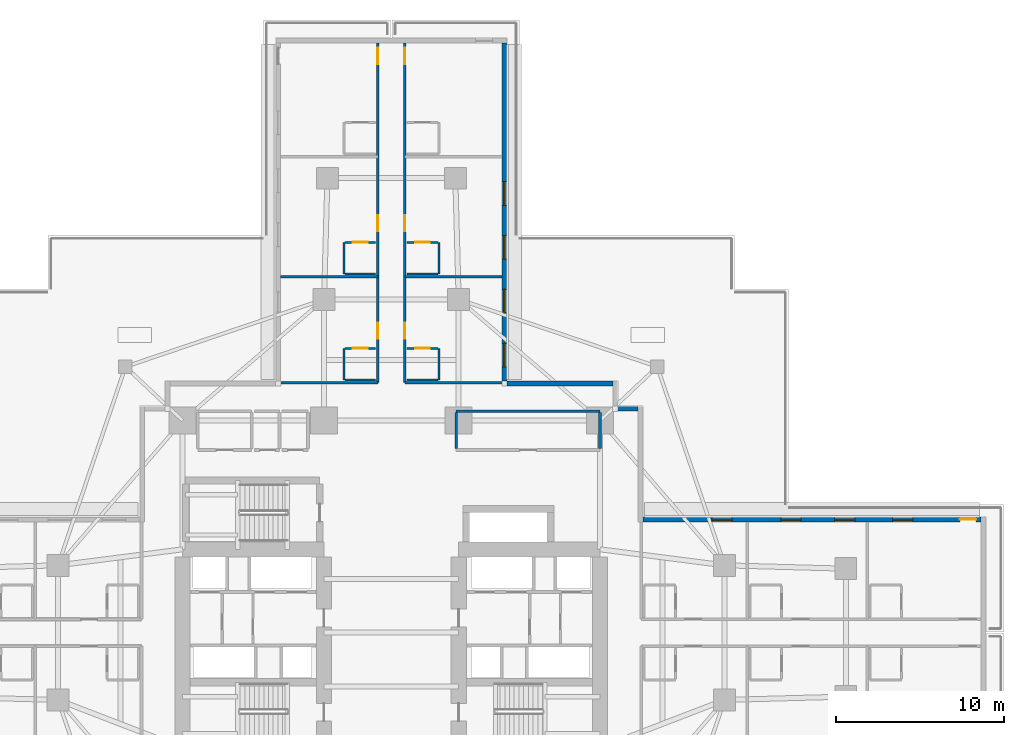
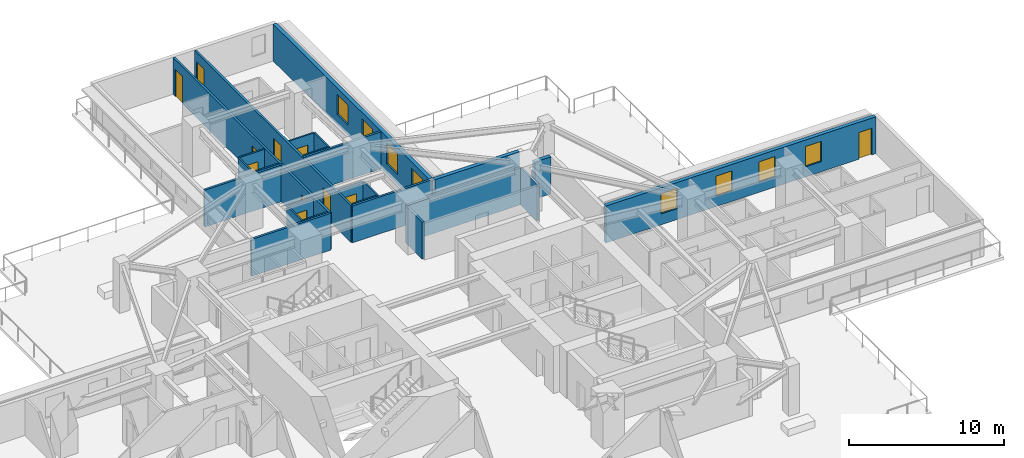
# One storey, part 8 of 15: 25 walls, 11 doors, 8 windows, 19 openings.
"""IFC4 building model written with IfcOpenShell, lengths in metres."""

from ifc_helpers import new_model, si_unit, direction, frame, frame_2d, origin, place, context, subcontext, project, spatial, rectangle, extrude, material, layer, layer_set, type_object, element, fill, save


model = new_model("IFC4")

# Units and contexts
model_context = context("Model", 3, precision=1e-05, world=origin(), true_north=direction((0.0, 1.0)))
body_context = subcontext(model_context, "Body", "Model", "MODEL_VIEW")
ifc_project = project(units=[si_unit("LENGTHUNIT", "METRE"), si_unit("AREAUNIT", "SQUARE_METRE"), si_unit("VOLUMEUNIT", "CUBIC_METRE"), si_unit("PLANEANGLEUNIT", "RADIAN"), si_unit("MASSUNIT", "GRAM", prefix="KILO")], contexts=[model_context])

# Site, building, storey
site_placement = place(None, origin())
site = spatial("IfcSite", under=ifc_project, at=site_placement, CompositionType="ELEMENT")
building_placement = place(site_placement, origin())
building = spatial("IfcBuilding", under=site, at=building_placement, Name="Qingluan Cross Belvedere", CompositionType="ELEMENT")
storey_placement = place(building_placement, frame((0.0, 0.0, 23.699951171875)))
storey = spatial("IfcBuildingStorey", under=building, at=storey_placement, Name="L06", CompositionType="ELEMENT", Elevation=23.699951171875)

# Walls
ifc_material_1 = material(Name="Gypsum plasterboard on steel stud acoustic partition", Category="steel")
ifc_layer_1 = layer(ifc_material_1, 0.159912109375, Name="CorridorPartition_160")
ifc_layer_set_1 = layer_set([ifc_layer_1], Name="Gypsum plasterboard on steel stud acoustic partition")
wall_type_1 = type_object("IfcWallType", Name="CorridorPartition_160", PredefinedType="PARTITIONING", material=ifc_layer_set_1)
wall_1_placement = place(storey_placement, frame((3.85009765625, 13.14990234375, 0.0), z_axis=(0.0, 0.0, 1.0), x_axis=(1.0, 0.0, 0.0)))
element("IfcWall", 1, at=wall_1_placement, inside=storey, type_object=wall_type_1, Name="Partition L06:q_ne:N", PredefinedType="PARTITIONING", context=body_context, shape_type="SweptSolid", body=[
    extrude(rectangle(XDim=8.5498046875, YDim=0.159912109375, at=frame_2d((4.27490234375, 0.0))), origin(), (0.0, 0.0, 1.0), 2.900146484375),
])
for number, where, z_axis, x_axis, name in (
    (2, (3.85009765625, 10.93505859375, 0.0), (0.0, 0.0, 1.0), (0.0, 1.0, 0.0), "Partition L06:q_ne:W"),
    (3, (12.39990234375, 10.93505859375, 0.0), (0.0, 0.0, 1.0), (0.0, 1.0, 0.0), "Partition L06:q_ne:E"),
):
    element("IfcWall", number, at=place(storey_placement, frame(where, z_axis=z_axis, x_axis=x_axis)), inside=storey, type_object=wall_type_1, Name=name, PredefinedType="PARTITIONING", context=body_context, shape_type="SweptSolid", body=[
        extrude(rectangle(XDim=2.1298828125, YDim=0.159912109375, at=frame_2d((1.06494140625, 0.0))), origin(), (0.0, 0.0, 1.0), 2.900146484375),
    ])

# Wall, openings, doors
wall_2_placement = place(storey_placement, frame((0.800048828125, 14.85009765625, 0.0), z_axis=(0.0, 0.0, 1.0), x_axis=(0.0, 1.0, 0.0)))
wall_2 = element("IfcWall", 4, at=wall_2_placement, inside=storey, type_object=wall_type_1, Name="Partition L06:N:c0", PredefinedType="PARTITIONING", context=body_context, shape_type="SweptSolid", body=[
    extrude(rectangle(XDim=20.181884765625, YDim=0.159912109375, at=frame_2d((10.0908203125, 0.0))), origin(), (0.0, 0.0, 1.0), 2.900146484375),
])
opening_1_placement = place(wall_2_placement, frame((2.610107421875, 0.0, 0.0)))
opening_1 = element("IfcOpeningElement", 5, at=opening_1_placement, cuts=wall_2, Name="Opening GD-10", PredefinedType="OPENING", context=body_context, shape_type="SweptSolid", body=[
    extrude(rectangle(XDim=0.9599609375, YDim=2.14990234375, at=frame_2d((0.47998046875, 1.074951171875))), frame((0.0, 0.08984375, 0.0), z_axis=(0.0, -1.0, 0.0), x_axis=(1.0, 0.0, 0.0)), (0.0, 0.0, 1.0), 0.179931640625),
])
opening_2_placement = place(wall_2_placement, frame((8.993896484375, 0.0, 0.0)))
opening_2 = element("IfcOpeningElement", 6, at=opening_2_placement, cuts=wall_2, Name="Opening GD-10", PredefinedType="OPENING", context=body_context, shape_type="SweptSolid", body=[
    extrude(rectangle(XDim=0.9599609375, YDim=2.14990234375, at=frame_2d((0.47998046875, 1.074951171875))), frame((0.0, 0.08984375, 0.0), z_axis=(0.0, -1.0, 0.0), x_axis=(1.0, 0.0, 0.0)), (0.0, 0.0, 1.0), 0.179931640625),
])
opening_3_placement = place(wall_2_placement, frame((18.929931640625, 0.0, 0.0)))
opening_3 = element("IfcOpeningElement", 7, at=opening_3_placement, cuts=wall_2, Name="Opening GD-10", PredefinedType="OPENING", context=body_context, shape_type="SweptSolid", body=[
    extrude(rectangle(XDim=0.9599609375, YDim=2.14990234375, at=frame_2d((0.47998046875, 1.074951171875))), frame((0.0, 0.08984375, 0.0), z_axis=(0.0, -1.0, 0.0), x_axis=(1.0, 0.0, 0.0)), (0.0, 0.0, 1.0), 0.179931640625),
])
ifc_material_2 = material(Name="Timber oak fire-rated acoustic guestroom door", Category="wood")
door_type_1 = type_object("IfcDoorType", Name="GuestEntryDoor_FD60", OperationType="NOTDEFINED", PredefinedType="DOOR", material=ifc_material_2)
door_1_placement = place(opening_1_placement, origin())
door_1 = element("IfcDoor", 8, at=door_1_placement, inside=storey, type_object=door_type_1, Name="Guest entry fire door 0613", OperationType="SINGLE_SWING_LEFT", OverallHeight=2.14990234375, OverallWidth=0.9599609375, PredefinedType="DOOR", context=body_context, shape_type="SweptSolid", body=[
    extrude(rectangle(XDim=0.9599609375, YDim=2.14990234375, at=frame_2d((0.47998046875, 1.074951171875))), frame((0.0, 0.02490234375, 0.0), z_axis=(0.0, -1.0, 0.0), x_axis=(1.0, 0.0, 0.0)), (0.0, 0.0, 1.0), 0.050048828125),
])
fill(opening_1, door_1)
door_2_placement = place(opening_2_placement, origin())
door_2 = element("IfcDoor", 9, at=door_2_placement, inside=storey, type_object=door_type_1, Name="Guest entry fire door 0614", OperationType="SINGLE_SWING_LEFT", OverallHeight=2.14990234375, OverallWidth=0.9599609375, PredefinedType="DOOR", context=body_context, shape_type="SweptSolid", body=[
    extrude(rectangle(XDim=0.9599609375, YDim=2.14990234375, at=frame_2d((0.47998046875, 1.074951171875))), frame((0.0, 0.02490234375, 0.0), z_axis=(0.0, -1.0, 0.0), x_axis=(1.0, 0.0, 0.0)), (0.0, 0.0, 1.0), 0.050048828125),
])
fill(opening_2, door_2)
door_3_placement = place(opening_3_placement, origin())
door_3 = element("IfcDoor", 10, at=door_3_placement, inside=storey, type_object=door_type_1, Name="Guest entry fire door 0615", OperationType="SINGLE_SWING_LEFT", OverallHeight=2.14990234375, OverallWidth=0.9599609375, PredefinedType="DOOR", context=body_context, shape_type="SweptSolid", body=[
    extrude(rectangle(XDim=0.9599609375, YDim=2.14990234375, at=frame_2d((0.47998046875, 1.074951171875))), frame((0.0, 0.02490234375, 0.0), z_axis=(0.0, -1.0, 0.0), x_axis=(1.0, 0.0, 0.0)), (0.0, 0.0, 1.0), 0.050048828125),
])
fill(opening_3, door_3)

# Walls
wall_3_placement = place(storey_placement, frame((0.800048828125, 14.85009765625, 0.0), z_axis=(0.0, 0.0, 1.0), x_axis=(1.0, 0.0, 0.0)))
element("IfcWall", 11, at=wall_3_placement, inside=storey, type_object=wall_type_1, Name="Partition L06:N:s0", PredefinedType="PARTITIONING", context=body_context, shape_type="SweptSolid", body=[
    extrude(rectangle(XDim=5.919921875, YDim=0.159912109375, at=frame_2d((2.9599609375, 0.0))), origin(), (0.0, 0.0, 1.0), 2.900146484375),
])
wall_4_placement = place(storey_placement, frame((0.800048828125, 21.152099609375, 0.0), z_axis=(0.0, 0.0, 1.0), x_axis=(1.0, 0.0, 0.0)))
element("IfcWall", 12, at=wall_4_placement, inside=storey, type_object=wall_type_1, Name="Partition L06:N:d0_0", PredefinedType="PARTITIONING", context=body_context, shape_type="SweptSolid", body=[
    extrude(rectangle(XDim=5.77197265625, YDim=0.159912109375, at=frame_2d((2.885986328125, 0.0))), origin(), (0.0, 0.0, 1.0), 2.900146484375),
])

# Wall, openings, doors
wall_5_placement = place(storey_placement, frame((-0.800048828125, 14.85009765625, 0.0), z_axis=(0.0, 0.0, 1.0), x_axis=(0.0, 1.0, 0.0)))
wall_5 = element("IfcWall", 13, at=wall_5_placement, inside=storey, type_object=wall_type_1, Name="Partition L06:N:c1", PredefinedType="PARTITIONING", context=body_context, shape_type="SweptSolid", body=[
    extrude(rectangle(XDim=20.181884765625, YDim=0.159912109375, at=frame_2d((10.0908203125, 0.0))), origin(), (0.0, 0.0, 1.0), 2.900146484375),
])
opening_4_placement = place(wall_5_placement, frame((2.610107421875, 0.0, 0.0)))
opening_4 = element("IfcOpeningElement", 14, at=opening_4_placement, cuts=wall_5, Name="Opening GD-10", PredefinedType="OPENING", context=body_context, shape_type="SweptSolid", body=[
    extrude(rectangle(XDim=0.9599609375, YDim=2.14990234375, at=frame_2d((0.47998046875, 1.074951171875))), frame((0.0, 0.08984375, 0.0), z_axis=(0.0, -1.0, 0.0), x_axis=(1.0, 0.0, 0.0)), (0.0, 0.0, 1.0), 0.179931640625),
])
opening_5_placement = place(wall_5_placement, frame((8.993896484375, 0.0, 0.0)))
opening_5 = element("IfcOpeningElement", 15, at=opening_5_placement, cuts=wall_5, Name="Opening GD-10", PredefinedType="OPENING", context=body_context, shape_type="SweptSolid", body=[
    extrude(rectangle(XDim=0.9599609375, YDim=2.14990234375, at=frame_2d((0.47998046875, 1.074951171875))), frame((0.0, 0.08984375, 0.0), z_axis=(0.0, -1.0, 0.0), x_axis=(1.0, 0.0, 0.0)), (0.0, 0.0, 1.0), 0.179931640625),
])
opening_6_placement = place(wall_5_placement, frame((18.929931640625, 0.0, 0.0)))
opening_6 = element("IfcOpeningElement", 16, at=opening_6_placement, cuts=wall_5, Name="Opening GD-10", PredefinedType="OPENING", context=body_context, shape_type="SweptSolid", body=[
    extrude(rectangle(XDim=0.9599609375, YDim=2.14990234375, at=frame_2d((0.47998046875, 1.074951171875))), frame((0.0, 0.08984375, 0.0), z_axis=(0.0, -1.0, 0.0), x_axis=(1.0, 0.0, 0.0)), (0.0, 0.0, 1.0), 0.179931640625),
])
door_4_placement = place(opening_4_placement, origin())
door_4 = element("IfcDoor", 17, at=door_4_placement, inside=storey, type_object=door_type_1, Name="Guest entry fire door 0616", OperationType="SINGLE_SWING_LEFT", OverallHeight=2.14990234375, OverallWidth=0.9599609375, PredefinedType="DOOR", context=body_context, shape_type="SweptSolid", body=[
    extrude(rectangle(XDim=0.9599609375, YDim=2.14990234375, at=frame_2d((0.47998046875, 1.074951171875))), frame((0.0, 0.02490234375, 0.0), z_axis=(0.0, -1.0, 0.0), x_axis=(1.0, 0.0, 0.0)), (0.0, 0.0, 1.0), 0.050048828125),
])
fill(opening_4, door_4)
door_5_placement = place(opening_5_placement, origin())
door_5 = element("IfcDoor", 18, at=door_5_placement, inside=storey, type_object=door_type_1, Name="Guest entry fire door 0617", OperationType="SINGLE_SWING_LEFT", OverallHeight=2.14990234375, OverallWidth=0.9599609375, PredefinedType="DOOR", context=body_context, shape_type="SweptSolid", body=[
    extrude(rectangle(XDim=0.9599609375, YDim=2.14990234375, at=frame_2d((0.47998046875, 1.074951171875))), frame((0.0, 0.02490234375, 0.0), z_axis=(0.0, -1.0, 0.0), x_axis=(1.0, 0.0, 0.0)), (0.0, 0.0, 1.0), 0.050048828125),
])
fill(opening_5, door_5)
door_6_placement = place(opening_6_placement, origin())
door_6 = element("IfcDoor", 19, at=door_6_placement, inside=storey, type_object=door_type_1, Name="Guest entry fire door 0618", OperationType="SINGLE_SWING_LEFT", OverallHeight=2.14990234375, OverallWidth=0.9599609375, PredefinedType="DOOR", context=body_context, shape_type="SweptSolid", body=[
    extrude(rectangle(XDim=0.9599609375, YDim=2.14990234375, at=frame_2d((0.47998046875, 1.074951171875))), frame((0.0, 0.02490234375, 0.0), z_axis=(0.0, -1.0, 0.0), x_axis=(1.0, 0.0, 0.0)), (0.0, 0.0, 1.0), 0.050048828125),
])
fill(opening_6, door_6)

# Walls
wall_6_placement = place(storey_placement, frame((-0.800048828125, 14.85009765625, 0.0), z_axis=(0.0, 0.0, 1.0), x_axis=(-1.0, 0.0, 0.0)))
element("IfcWall", 20, at=wall_6_placement, inside=storey, type_object=wall_type_1, Name="Partition L06:N:s1", PredefinedType="PARTITIONING", context=body_context, shape_type="SweptSolid", body=[
    extrude(rectangle(XDim=5.919921875, YDim=0.159912109375, at=frame_2d((2.9599609375, 0.0))), origin(), (0.0, 0.0, 1.0), 2.900146484375),
])
wall_7_placement = place(storey_placement, frame((-0.800048828125, 21.152099609375, 0.0), z_axis=(0.0, 0.0, 1.0), x_axis=(-1.0, 0.0, 0.0)))
element("IfcWall", 21, at=wall_7_placement, inside=storey, type_object=wall_type_1, Name="Partition L06:N:d1_0", PredefinedType="PARTITIONING", context=body_context, shape_type="SweptSolid", body=[
    extrude(rectangle(XDim=5.77197265625, YDim=0.159912109375, at=frame_2d((2.885986328125, 0.0))), origin(), (0.0, 0.0, 1.0), 2.900146484375),
])

# Wall, opening, door
ifc_material_3 = material(Name="Moisture-resistant gypsum board lining")
ifc_layer_2 = layer(ifc_material_3, 0.1201171875, Name="EnsuiteWetPartition_120")
ifc_layer_set_2 = layer_set([ifc_layer_2], Name="Moisture-resistant gypsum board lining")
wall_type_2 = type_object("IfcWallType", Name="EnsuiteWetPartition_120", PredefinedType="PARTITIONING", material=ifc_layer_set_2)
wall_8_placement = place(storey_placement, frame((0.93994140625, 16.889892578125, 0.0), z_axis=(0.0, 0.0, 1.0), x_axis=(1.0, 0.0, 0.0)))
wall_8 = element("IfcWall", 22, at=wall_8_placement, inside=storey, type_object=wall_type_2, Name="Partition L06:N:bs0_0", PredefinedType="PARTITIONING", context=body_context, shape_type="SweptSolid", body=[
    extrude(rectangle(XDim=1.820068359375, YDim=0.1201171875, at=frame_2d((0.91015625, 0.0))), origin(), (0.0, 0.0, 1.0), 2.900146484375),
])
opening_7_placement = place(wall_8_placement, frame((0.469970703125, 0.0, 0.0)))
opening_7 = element("IfcOpeningElement", 23, at=opening_7_placement, cuts=wall_8, Name="Opening BD-09", PredefinedType="OPENING", context=body_context, shape_type="SweptSolid", body=[
    extrude(rectangle(XDim=0.8798828125, YDim=2.10009765625, at=frame_2d((0.43994140625, 1.050048828125))), frame((0.0, 0.070068359375, 0.0), z_axis=(0.0, -1.0, 0.0), x_axis=(1.0, 0.0, 0.0)), (0.0, 0.0, 1.0), 0.14013671875),
])
ifc_material_4 = material(Name="Moisture-sealed timber en-suite door", Category="wood")
door_type_2 = type_object("IfcDoorType", Name="BathroomDoor_880", OperationType="NOTDEFINED", PredefinedType="DOOR", material=ifc_material_4)
door_7_placement = place(opening_7_placement, origin())
door_7 = element("IfcDoor", 24, at=door_7_placement, inside=storey, type_object=door_type_2, Name="Bathroom door 0613", OperationType="SINGLE_SWING_RIGHT", OverallHeight=2.10009765625, OverallWidth=0.8798828125, PredefinedType="DOOR", context=body_context, shape_type="SweptSolid", body=[
    extrude(rectangle(XDim=0.8798828125, YDim=2.10009765625, at=frame_2d((0.43994140625, 1.050048828125))), frame((0.0, 0.02490234375, 0.0), z_axis=(0.0, -1.0, 0.0), x_axis=(1.0, 0.0, 0.0)), (0.0, 0.0, 1.0), 0.050048828125),
])
fill(opening_7, door_7)

# Walls
wall_9_placement = place(storey_placement, frame((0.93994140625, 15.010009765625, 0.0), z_axis=(0.0, 0.0, 1.0), x_axis=(1.0, 0.0, 0.0)))
element("IfcWall", 25, at=wall_9_placement, inside=storey, type_object=wall_type_2, Name="Partition L06:N:bw0_0", PredefinedType="PARTITIONING", context=body_context, shape_type="SweptSolid", body=[
    extrude(rectangle(XDim=1.820068359375, YDim=0.1201171875, at=frame_2d((0.91015625, 0.0))), origin(), (0.0, 0.0, 1.0), 2.900146484375),
])
wall_10_placement = place(storey_placement, frame((2.824951171875, 15.010009765625, 0.0), z_axis=(0.0, 0.0, 1.0), x_axis=(0.0, 1.0, 0.0)))
element("IfcWall", 26, at=wall_10_placement, inside=storey, type_object=wall_type_2, Name="Partition L06:N:bn0_0", PredefinedType="PARTITIONING", context=body_context, shape_type="SweptSolid", body=[
    extrude(rectangle(XDim=1.8798828125, YDim=0.1201171875, at=frame_2d((0.93994140625, 0.0))), origin(), (0.0, 0.0, 1.0), 2.900146484375),
])

# Wall, opening, door
wall_11_placement = place(storey_placement, frame((0.93994140625, 23.19189453125, 0.0), z_axis=(0.0, 0.0, 1.0), x_axis=(1.0, 0.0, 0.0)))
wall_11 = element("IfcWall", 27, at=wall_11_placement, inside=storey, type_object=wall_type_2, Name="Partition L06:N:bs0_1", PredefinedType="PARTITIONING", context=body_context, shape_type="SweptSolid", body=[
    extrude(rectangle(XDim=1.820068359375, YDim=0.1201171875, at=frame_2d((0.91015625, 0.0))), origin(), (0.0, 0.0, 1.0), 2.900146484375),
])
opening_8_placement = place(wall_11_placement, frame((0.469970703125, 0.0, 0.0)))
opening_8 = element("IfcOpeningElement", 28, at=opening_8_placement, cuts=wall_11, Name="Opening BD-09", PredefinedType="OPENING", context=body_context, shape_type="SweptSolid", body=[
    extrude(rectangle(XDim=0.8798828125, YDim=2.10009765625, at=frame_2d((0.43994140625, 1.050048828125))), frame((0.0, 0.070068359375, 0.0), z_axis=(0.0, -1.0, 0.0), x_axis=(1.0, 0.0, 0.0)), (0.0, 0.0, 1.0), 0.14013671875),
])
door_8_placement = place(opening_8_placement, origin())
door_8 = element("IfcDoor", 29, at=door_8_placement, inside=storey, type_object=door_type_2, Name="Bathroom door 0614", OperationType="SINGLE_SWING_RIGHT", OverallHeight=2.10009765625, OverallWidth=0.8798828125, PredefinedType="DOOR", context=body_context, shape_type="SweptSolid", body=[
    extrude(rectangle(XDim=0.8798828125, YDim=2.10009765625, at=frame_2d((0.43994140625, 1.050048828125))), frame((0.0, 0.02490234375, 0.0), z_axis=(0.0, -1.0, 0.0), x_axis=(1.0, 0.0, 0.0)), (0.0, 0.0, 1.0), 0.050048828125),
])
fill(opening_8, door_8)

# Walls
wall_12_placement = place(storey_placement, frame((0.93994140625, 21.31201171875, 0.0), z_axis=(0.0, 0.0, 1.0), x_axis=(1.0, 0.0, 0.0)))
element("IfcWall", 30, at=wall_12_placement, inside=storey, type_object=wall_type_2, Name="Partition L06:N:bw0_1", PredefinedType="PARTITIONING", context=body_context, shape_type="SweptSolid", body=[
    extrude(rectangle(XDim=1.820068359375, YDim=0.1201171875, at=frame_2d((0.91015625, 0.0))), origin(), (0.0, 0.0, 1.0), 2.900146484375),
])
wall_13_placement = place(storey_placement, frame((2.824951171875, 21.31201171875, 0.0), z_axis=(0.0, 0.0, 1.0), x_axis=(0.0, 1.0, 0.0)))
element("IfcWall", 31, at=wall_13_placement, inside=storey, type_object=wall_type_2, Name="Partition L06:N:bn0_1", PredefinedType="PARTITIONING", context=body_context, shape_type="SweptSolid", body=[
    extrude(rectangle(XDim=1.8798828125, YDim=0.1201171875, at=frame_2d((0.93994140625, 0.0))), origin(), (0.0, 0.0, 1.0), 2.900146484375),
])

# Wall, opening, door
wall_14_placement = place(storey_placement, frame((-2.760009765625, 16.889892578125, 0.0), z_axis=(0.0, 0.0, 1.0), x_axis=(1.0, 0.0, 0.0)))
wall_14 = element("IfcWall", 32, at=wall_14_placement, inside=storey, type_object=wall_type_2, Name="Partition L06:N:bs1_0", PredefinedType="PARTITIONING", context=body_context, shape_type="SweptSolid", body=[
    extrude(rectangle(XDim=1.820068359375, YDim=0.1201171875, at=frame_2d((0.91015625, 0.0))), origin(), (0.0, 0.0, 1.0), 2.900146484375),
])
opening_9_placement = place(wall_14_placement, frame((0.469970703125, 0.0, 0.0)))
opening_9 = element("IfcOpeningElement", 33, at=opening_9_placement, cuts=wall_14, Name="Opening BD-09", PredefinedType="OPENING", context=body_context, shape_type="SweptSolid", body=[
    extrude(rectangle(XDim=0.8798828125, YDim=2.10009765625, at=frame_2d((0.43994140625, 1.050048828125))), frame((0.0, 0.070068359375, 0.0), z_axis=(0.0, -1.0, 0.0), x_axis=(1.0, 0.0, 0.0)), (0.0, 0.0, 1.0), 0.14013671875),
])
door_9_placement = place(opening_9_placement, origin())
door_9 = element("IfcDoor", 34, at=door_9_placement, inside=storey, type_object=door_type_2, Name="Bathroom door 0616", OperationType="SINGLE_SWING_RIGHT", OverallHeight=2.10009765625, OverallWidth=0.8798828125, PredefinedType="DOOR", context=body_context, shape_type="SweptSolid", body=[
    extrude(rectangle(XDim=0.8798828125, YDim=2.10009765625, at=frame_2d((0.43994140625, 1.050048828125))), frame((0.0, 0.02490234375, 0.0), z_axis=(0.0, -1.0, 0.0), x_axis=(1.0, 0.0, 0.0)), (0.0, 0.0, 1.0), 0.050048828125),
])
fill(opening_9, door_9)

# Walls
wall_15_placement = place(storey_placement, frame((-2.760009765625, 15.010009765625, 0.0), z_axis=(0.0, 0.0, 1.0), x_axis=(1.0, 0.0, 0.0)))
element("IfcWall", 35, at=wall_15_placement, inside=storey, type_object=wall_type_2, Name="Partition L06:N:bw1_0", PredefinedType="PARTITIONING", context=body_context, shape_type="SweptSolid", body=[
    extrude(rectangle(XDim=1.820068359375, YDim=0.1201171875, at=frame_2d((0.91015625, 0.0))), origin(), (0.0, 0.0, 1.0), 2.900146484375),
])
wall_16_placement = place(storey_placement, frame((-2.824951171875, 15.010009765625, 0.0), z_axis=(0.0, 0.0, 1.0), x_axis=(0.0, 1.0, 0.0)))
element("IfcWall", 36, at=wall_16_placement, inside=storey, type_object=wall_type_2, Name="Partition L06:N:bc1_0", PredefinedType="PARTITIONING", context=body_context, shape_type="SweptSolid", body=[
    extrude(rectangle(XDim=1.8798828125, YDim=0.1201171875, at=frame_2d((0.93994140625, 0.0))), origin(), (0.0, 0.0, 1.0), 2.900146484375),
])

# Wall, opening, door
wall_17_placement = place(storey_placement, frame((-2.760009765625, 23.19189453125, 0.0), z_axis=(0.0, 0.0, 1.0), x_axis=(1.0, 0.0, 0.0)))
wall_17 = element("IfcWall", 37, at=wall_17_placement, inside=storey, type_object=wall_type_2, Name="Partition L06:N:bs1_1", PredefinedType="PARTITIONING", context=body_context, shape_type="SweptSolid", body=[
    extrude(rectangle(XDim=1.820068359375, YDim=0.1201171875, at=frame_2d((0.91015625, 0.0))), origin(), (0.0, 0.0, 1.0), 2.900146484375),
])
opening_10_placement = place(wall_17_placement, frame((0.469970703125, 0.0, 0.0)))
opening_10 = element("IfcOpeningElement", 38, at=opening_10_placement, cuts=wall_17, Name="Opening BD-09", PredefinedType="OPENING", context=body_context, shape_type="SweptSolid", body=[
    extrude(rectangle(XDim=0.8798828125, YDim=2.10009765625, at=frame_2d((0.43994140625, 1.050048828125))), frame((0.0, 0.070068359375, 0.0), z_axis=(0.0, -1.0, 0.0), x_axis=(1.0, 0.0, 0.0)), (0.0, 0.0, 1.0), 0.14013671875),
])
door_10_placement = place(opening_10_placement, origin())
door_10 = element("IfcDoor", 39, at=door_10_placement, inside=storey, type_object=door_type_2, Name="Bathroom door 0617", OperationType="SINGLE_SWING_RIGHT", OverallHeight=2.10009765625, OverallWidth=0.8798828125, PredefinedType="DOOR", context=body_context, shape_type="SweptSolid", body=[
    extrude(rectangle(XDim=0.8798828125, YDim=2.10009765625, at=frame_2d((0.43994140625, 1.050048828125))), frame((0.0, 0.02490234375, 0.0), z_axis=(0.0, -1.0, 0.0), x_axis=(1.0, 0.0, 0.0)), (0.0, 0.0, 1.0), 0.050048828125),
])
fill(opening_10, door_10)

# Walls
wall_18_placement = place(storey_placement, frame((-2.760009765625, 21.31201171875, 0.0), z_axis=(0.0, 0.0, 1.0), x_axis=(1.0, 0.0, 0.0)))
element("IfcWall", 40, at=wall_18_placement, inside=storey, type_object=wall_type_2, Name="Partition L06:N:bw1_1", PredefinedType="PARTITIONING", context=body_context, shape_type="SweptSolid", body=[
    extrude(rectangle(XDim=1.820068359375, YDim=0.1201171875, at=frame_2d((0.91015625, 0.0))), origin(), (0.0, 0.0, 1.0), 2.900146484375),
])
wall_19_placement = place(storey_placement, frame((-2.824951171875, 21.31201171875, 0.0), z_axis=(0.0, 0.0, 1.0), x_axis=(0.0, 1.0, 0.0)))
element("IfcWall", 41, at=wall_19_placement, inside=storey, type_object=wall_type_2, Name="Partition L06:N:bc1_1", PredefinedType="PARTITIONING", context=body_context, shape_type="SweptSolid", body=[
    extrude(rectangle(XDim=1.8798828125, YDim=0.1201171875, at=frame_2d((0.93994140625, 0.0))), origin(), (0.0, 0.0, 1.0), 2.900146484375),
])

# Wall, openings, door, windows
ifc_material_5 = material(Name="Precast concrete C45", Category="concrete")
ifc_layer_3 = layer(ifc_material_5, 0.280029296875, Name="PrecastFacadeWall_280")
ifc_layer_set_3 = layer_set([ifc_layer_3], Name="Precast concrete C45")
wall_type_3 = type_object("IfcWallType", Name="PrecastFacadeWall_280", PredefinedType="STANDARD", material=ifc_layer_set_3)
wall_20_placement = place(storey_placement, frame((35.0400390625, 6.719970703125, 0.0), z_axis=(0.0, 0.0, 1.0), x_axis=(-1.0, 0.0, 0.0)))
wall_20 = element("IfcWall", 42, at=wall_20_placement, inside=storey, type_object=wall_type_3, Name="Facade wall L06-EB", PredefinedType="STANDARD", context=body_context, shape_type="SweptSolid", body=[
    extrude(rectangle(XDim=20.10009765625, YDim=0.280029296875, at=frame_2d((10.050048828125, 0.0))), origin(), (0.0, 0.0, 1.0), 2.91015625),
])
opening_11_placement = place(wall_20_placement, frame((4.050048828125, 0.0, 0.800048828125)))
opening_11 = element("IfcOpeningElement", 43, at=opening_11_placement, cuts=wall_20, Name="Opening W-02", PredefinedType="OPENING", context=body_context, shape_type="SweptSolid", body=[
    extrude(rectangle(XDim=1.199951171875, YDim=1.60009765625, at=frame_2d((0.60009765625, 0.800048828125))), frame((0.0, 0.14990234375, 0.0), z_axis=(0.0, -1.0, 0.0), x_axis=(1.0, 0.0, 0.0)), (0.0, 0.0, 1.0), 0.300048828125),
])
opening_12_placement = place(wall_20_placement, frame((7.5, 0.0, 0.800048828125)))
opening_12 = element("IfcOpeningElement", 44, at=opening_12_placement, cuts=wall_20, Name="Opening W-02", PredefinedType="OPENING", context=body_context, shape_type="SweptSolid", body=[
    extrude(rectangle(XDim=1.199951171875, YDim=1.60009765625, at=frame_2d((0.60009765625, 0.800048828125))), frame((0.0, 0.14990234375, 0.0), z_axis=(0.0, -1.0, 0.0), x_axis=(1.0, 0.0, 0.0)), (0.0, 0.0, 1.0), 0.300048828125),
])
opening_13_placement = place(wall_20_placement, frame((10.699951171875, 0.0, 0.800048828125)))
opening_13 = element("IfcOpeningElement", 45, at=opening_13_placement, cuts=wall_20, Name="Opening W-02", PredefinedType="OPENING", context=body_context, shape_type="SweptSolid", body=[
    extrude(rectangle(XDim=1.199951171875, YDim=1.60009765625, at=frame_2d((0.60009765625, 0.800048828125))), frame((0.0, 0.14990234375, 0.0), z_axis=(0.0, -1.0, 0.0), x_axis=(1.0, 0.0, 0.0)), (0.0, 0.0, 1.0), 0.300048828125),
])
opening_14_placement = place(wall_20_placement, frame((0.300048828125, 0.0, 0.0)))
opening_14 = element("IfcOpeningElement", 46, at=opening_14_placement, cuts=wall_20, Name="Opening TD-10", PredefinedType="OPENING", context=body_context, shape_type="SweptSolid", body=[
    extrude(rectangle(XDim=0.9599609375, YDim=2.10009765625, at=frame_2d((0.47998046875, 1.050048828125))), frame((0.0, 0.14990234375, 0.0), z_axis=(0.0, -1.0, 0.0), x_axis=(1.0, 0.0, 0.0)), (0.0, 0.0, 1.0), 0.300048828125),
])
opening_15_placement = place(wall_20_placement, frame((14.799072265625, 0.0, 0.85009765625)))
opening_15 = element("IfcOpeningElement", 47, at=opening_15_placement, cuts=wall_20, Name="Opening W-02", PredefinedType="OPENING", context=body_context, shape_type="SweptSolid", body=[
    extrude(rectangle(XDim=1.199951171875, YDim=1.60009765625, at=frame_2d((0.60009765625, 0.800048828125))), frame((0.0, 0.14990234375, 0.0), z_axis=(0.0, -1.0, 0.0), x_axis=(1.0, 0.0, 0.0)), (0.0, 0.0, 1.0), 0.300048828125),
])
ifc_material_6 = material(Name="Thermally broken aluminium and Low-E glass", Category="aluminium")
door_type_3 = type_object("IfcDoorType", Name="SetbackTerraceDoor_096", OperationType="NOTDEFINED", PredefinedType="DOOR", material=ifc_material_6)
door_11_placement = place(opening_14_placement, origin())
door_11 = element("IfcDoor", 48, at=door_11_placement, inside=storey, type_object=door_type_3, Name="Outdoor terrace access door L06-cas1", OperationType="SINGLE_SWING_RIGHT", OverallHeight=2.10009765625, OverallWidth=0.9599609375, PredefinedType="DOOR", context=body_context, shape_type="SweptSolid", body=[
    extrude(rectangle(XDim=0.9599609375, YDim=2.10009765625, at=frame_2d((0.47998046875, 1.050048828125))), frame((0.0, 0.02490234375, 0.0), z_axis=(0.0, -1.0, 0.0), x_axis=(1.0, 0.0, 0.0)), (0.0, 0.0, 1.0), 0.050048828125),
])
fill(opening_14, door_11)
ifc_material_7 = material(Name="Thermally broken triple Low-E glass in aluminium frame", Category="aluminium")
window_type_1 = type_object("IfcWindowType", Name="TriRibbonWin_1200x1600", PartitioningType="SINGLE_PANEL", PredefinedType="WINDOW", material=ifc_material_7)
window_1_placement = place(opening_11_placement, origin())
window_1 = element("IfcWindow", 49, at=window_1_placement, inside=storey, type_object=window_type_1, Name="Ribbon window L06-EB-2", OverallHeight=1.60009765625, OverallWidth=1.199951171875, PartitioningType="SINGLE_PANEL", PredefinedType="WINDOW", context=body_context, shape_type="SweptSolid", body=[
    extrude(rectangle(XDim=1.199951171875, YDim=1.60009765625, at=frame_2d((0.60009765625, 0.800048828125))), frame((0.0, 0.030029296875, 0.0), z_axis=(0.0, -1.0, 0.0), x_axis=(1.0, 0.0, 0.0)), (0.0, 0.0, 1.0), 0.06005859375),
])
fill(opening_11, window_1)
window_2_placement = place(opening_12_placement, origin())
window_2 = element("IfcWindow", 50, at=window_2_placement, inside=storey, type_object=window_type_1, Name="Ribbon window L06-EB-3", OverallHeight=1.60009765625, OverallWidth=1.199951171875, PartitioningType="SINGLE_PANEL", PredefinedType="WINDOW", context=body_context, shape_type="SweptSolid", body=[
    extrude(rectangle(XDim=1.199951171875, YDim=1.60009765625, at=frame_2d((0.60009765625, 0.800048828125))), frame((0.0, 0.030029296875, 0.0), z_axis=(0.0, -1.0, 0.0), x_axis=(1.0, 0.0, 0.0)), (0.0, 0.0, 1.0), 0.06005859375),
])
fill(opening_12, window_2)
window_3_placement = place(opening_13_placement, origin())
window_3 = element("IfcWindow", 51, at=window_3_placement, inside=storey, type_object=window_type_1, Name="Ribbon window L06-EB-4", OverallHeight=1.60009765625, OverallWidth=1.199951171875, PartitioningType="SINGLE_PANEL", PredefinedType="WINDOW", context=body_context, shape_type="SweptSolid", body=[
    extrude(rectangle(XDim=1.199951171875, YDim=1.60009765625, at=frame_2d((0.60009765625, 0.800048828125))), frame((0.0, 0.030029296875, 0.0), z_axis=(0.0, -1.0, 0.0), x_axis=(1.0, 0.0, 0.0)), (0.0, 0.0, 1.0), 0.06005859375),
])
fill(opening_13, window_3)
window_4_placement = place(opening_15_placement, origin())
window_4 = element("IfcWindow", 52, at=window_4_placement, inside=storey, type_object=window_type_1, Name="Deluxe guest room 0601 daylight window", OverallHeight=1.60009765625, OverallWidth=1.199951171875, PartitioningType="SINGLE_PANEL", PredefinedType="WINDOW", context=body_context, shape_type="SweptSolid", body=[
    extrude(rectangle(XDim=1.199951171875, YDim=1.60009765625, at=frame_2d((0.60009765625, 0.800048828125))), frame((0.0, 0.030029296875, 0.0), z_axis=(0.0, -1.0, 0.0), x_axis=(1.0, 0.0, 0.0)), (0.0, 0.0, 1.0), 0.06005859375),
])
fill(opening_15, window_4)

# Wall, openings, windows
wall_21_placement = place(storey_placement, frame((6.719970703125, 14.93994140625, 0.0), z_axis=(0.0, 0.0, 1.0), x_axis=(0.0, 1.0, 0.0)))
wall_21 = element("IfcWall", 53, at=wall_21_placement, inside=storey, type_object=wall_type_3, Name="Facade wall L06-NA", PredefinedType="STANDARD", context=body_context, shape_type="SweptSolid", body=[
    extrude(rectangle(XDim=20.10009765625, YDim=0.280029296875, at=frame_2d((10.050048828125, 0.0))), origin(), (0.0, 0.0, 1.0), 2.91015625),
])
opening_16_placement = place(wall_21_placement, frame((0.85009765625, 0.0, 0.800048828125)))
opening_16 = element("IfcOpeningElement", 54, at=opening_16_placement, cuts=wall_21, Name="Opening W-01", PredefinedType="OPENING", context=body_context, shape_type="SweptSolid", body=[
    extrude(rectangle(XDim=1.39990234375, YDim=1.60009765625, at=frame_2d((0.699951171875, 0.800048828125))), frame((0.0, 0.14990234375, 0.0), z_axis=(0.0, -1.0, 0.0), x_axis=(1.0, 0.0, 0.0)), (0.0, 0.0, 1.0), 0.300048828125),
])
opening_17_placement = place(wall_21_placement, frame((4.050048828125, 0.0, 0.800048828125)))
opening_17 = element("IfcOpeningElement", 55, at=opening_17_placement, cuts=wall_21, Name="Opening W-01", PredefinedType="OPENING", context=body_context, shape_type="SweptSolid", body=[
    extrude(rectangle(XDim=1.39990234375, YDim=1.60009765625, at=frame_2d((0.699951171875, 0.800048828125))), frame((0.0, 0.14990234375, 0.0), z_axis=(0.0, -1.0, 0.0), x_axis=(1.0, 0.0, 0.0)), (0.0, 0.0, 1.0), 0.300048828125),
])
opening_18_placement = place(wall_21_placement, frame((7.25, 0.0, 0.800048828125)))
opening_18 = element("IfcOpeningElement", 56, at=opening_18_placement, cuts=wall_21, Name="Opening W-01", PredefinedType="OPENING", context=body_context, shape_type="SweptSolid", body=[
    extrude(rectangle(XDim=1.39990234375, YDim=1.60009765625, at=frame_2d((0.699951171875, 0.800048828125))), frame((0.0, 0.14990234375, 0.0), z_axis=(0.0, -1.0, 0.0), x_axis=(1.0, 0.0, 0.0)), (0.0, 0.0, 1.0), 0.300048828125),
])
opening_19_placement = place(wall_21_placement, frame((10.449951171875, 0.0, 0.800048828125)))
opening_19 = element("IfcOpeningElement", 57, at=opening_19_placement, cuts=wall_21, Name="Opening W-01", PredefinedType="OPENING", context=body_context, shape_type="SweptSolid", body=[
    extrude(rectangle(XDim=1.39990234375, YDim=1.60009765625, at=frame_2d((0.699951171875, 0.800048828125))), frame((0.0, 0.14990234375, 0.0), z_axis=(0.0, -1.0, 0.0), x_axis=(1.0, 0.0, 0.0)), (0.0, 0.0, 1.0), 0.300048828125),
])
ifc_material_8 = material(Name="Thermally broken triple Low-E glass in aluminium frame", Category="aluminium")
window_type_2 = type_object("IfcWindowType", Name="TriRibbonWin_1400x1600", PartitioningType="SINGLE_PANEL", PredefinedType="WINDOW", material=ifc_material_8)
window_5_placement = place(opening_16_placement, origin())
window_5 = element("IfcWindow", 58, at=window_5_placement, inside=storey, type_object=window_type_2, Name="Ribbon window L06-NA-1", OverallHeight=1.60009765625, OverallWidth=1.39990234375, PartitioningType="SINGLE_PANEL", PredefinedType="WINDOW", context=body_context, shape_type="SweptSolid", body=[
    extrude(rectangle(XDim=1.39990234375, YDim=1.60009765625, at=frame_2d((0.699951171875, 0.800048828125))), frame((0.0, 0.030029296875, 0.0), z_axis=(0.0, -1.0, 0.0), x_axis=(1.0, 0.0, 0.0)), (0.0, 0.0, 1.0), 0.06005859375),
])
fill(opening_16, window_5)
window_6_placement = place(opening_17_placement, origin())
window_6 = element("IfcWindow", 59, at=window_6_placement, inside=storey, type_object=window_type_2, Name="Ribbon window L06-NA-2", OverallHeight=1.60009765625, OverallWidth=1.39990234375, PartitioningType="SINGLE_PANEL", PredefinedType="WINDOW", context=body_context, shape_type="SweptSolid", body=[
    extrude(rectangle(XDim=1.39990234375, YDim=1.60009765625, at=frame_2d((0.699951171875, 0.800048828125))), frame((0.0, 0.030029296875, 0.0), z_axis=(0.0, -1.0, 0.0), x_axis=(1.0, 0.0, 0.0)), (0.0, 0.0, 1.0), 0.06005859375),
])
fill(opening_17, window_6)
window_7_placement = place(opening_18_placement, origin())
window_7 = element("IfcWindow", 60, at=window_7_placement, inside=storey, type_object=window_type_2, Name="Ribbon window L06-NA-3", OverallHeight=1.60009765625, OverallWidth=1.39990234375, PartitioningType="SINGLE_PANEL", PredefinedType="WINDOW", context=body_context, shape_type="SweptSolid", body=[
    extrude(rectangle(XDim=1.39990234375, YDim=1.60009765625, at=frame_2d((0.699951171875, 0.800048828125))), frame((0.0, 0.030029296875, 0.0), z_axis=(0.0, -1.0, 0.0), x_axis=(1.0, 0.0, 0.0)), (0.0, 0.0, 1.0), 0.06005859375),
])
fill(opening_18, window_7)
window_8_placement = place(opening_19_placement, origin())
window_8 = element("IfcWindow", 61, at=window_8_placement, inside=storey, type_object=window_type_2, Name="Ribbon window L06-NA-4", OverallHeight=1.60009765625, OverallWidth=1.39990234375, PartitioningType="SINGLE_PANEL", PredefinedType="WINDOW", context=body_context, shape_type="SweptSolid", body=[
    extrude(rectangle(XDim=1.39990234375, YDim=1.60009765625, at=frame_2d((0.699951171875, 0.800048828125))), frame((0.0, 0.030029296875, 0.0), z_axis=(0.0, -1.0, 0.0), x_axis=(1.0, 0.0, 0.0)), (0.0, 0.0, 1.0), 0.06005859375),
])
fill(opening_19, window_8)

# Walls
wall_22_placement = place(storey_placement, frame((14.659912109375, 13.300048828125, 0.0), z_axis=(0.0, 0.0, 1.0), x_axis=(-1.0, 0.0, 0.0)))
element("IfcWall", 62, at=wall_22_placement, inside=storey, type_object=wall_type_3, Name="Corner wall L06-NE2", PredefinedType="STANDARD", context=body_context, shape_type="SweptSolid", body=[
    extrude(rectangle(XDim=1.219970703125, YDim=0.280029296875, at=frame_2d((0.60986328125, 0.0))), origin(), (0.0, 0.0, 1.0), 2.91015625),
])
wall_23_placement = place(storey_placement, frame((13.159912109375, 14.800048828125, 0.0), z_axis=(0.0, 0.0, 1.0), x_axis=(-1.0, 0.0, 0.0)))
element("IfcWall", 63, at=wall_23_placement, inside=storey, type_object=wall_type_3, Name="Corner wall L06-NE4", PredefinedType="STANDARD", context=body_context, shape_type="SweptSolid", body=[
    extrude(rectangle(XDim=6.2998046875, YDim=0.280029296875, at=frame_2d((3.14990234375, 0.0))), origin(), (0.0, 0.0, 1.0), 2.91015625),
])

save(model, "model.ifc")
